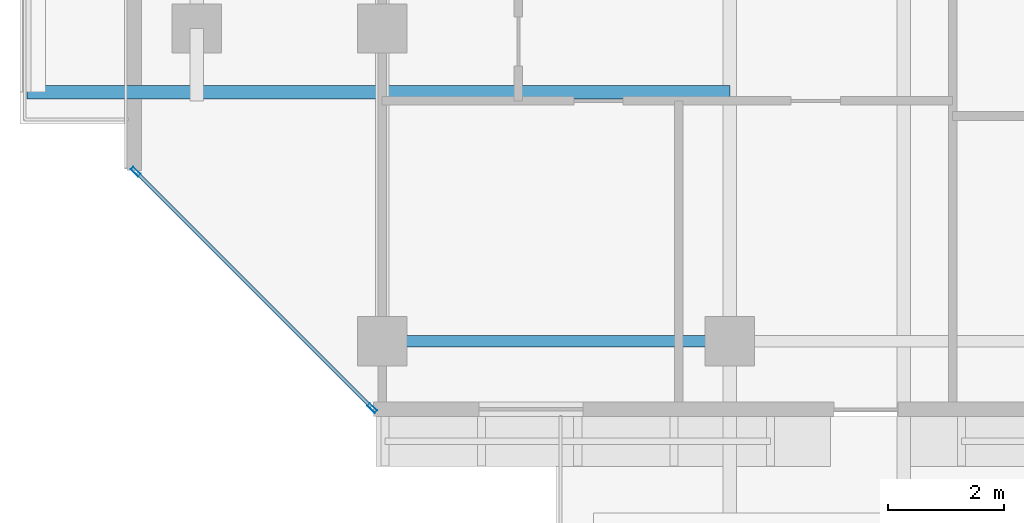
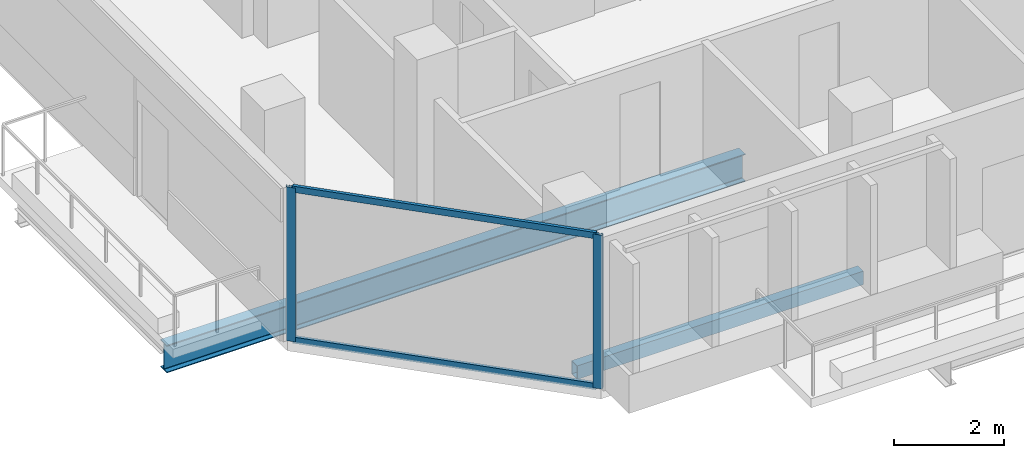
# One storey, part 2 of 30: 4 members, 2 beams, 1 element without a shape of its own.
"""IFC4 building model written with IfcOpenShell, lengths in metres."""

from ifc_helpers import new_model, si_unit, direction, frame, origin, origin_2d, place, context, subcontext, project, spatial, hollow_rectangle, i_section, extrude, material, layer, layer_set, material_profile, profile_set, type_object, element, aggregate, save


model = new_model("IFC4")

# Units and contexts
model_context = context("Model", 3, precision=1e-05, world=origin(), true_north=direction((0.0, 1.0)))
body_context = subcontext(model_context, "Body", "Model", "MODEL_VIEW")
ifc_project = project(units=[si_unit("LENGTHUNIT", "METRE"), si_unit("AREAUNIT", "SQUARE_METRE"), si_unit("VOLUMEUNIT", "CUBIC_METRE"), si_unit("PLANEANGLEUNIT", "RADIAN"), si_unit("MASSUNIT", "GRAM", prefix="KILO")], contexts=[model_context])

# Site, building, storey
site_placement = place(None, origin())
site = spatial("IfcSite", under=ifc_project, at=site_placement, CompositionType="ELEMENT")
building_placement = place(site_placement, origin())
building = spatial("IfcBuilding", under=site, at=building_placement, Name="Tanjung Sevakor Pilgrim Tower", CompositionType="ELEMENT")
storey_placement = place(building_placement, frame((0.0, 0.0, 165.659912109375)))
storey = spatial("IfcBuildingStorey", under=building, at=storey_placement, Name="L46", CompositionType="ELEMENT", Elevation=165.659912109375)

# Beams
ifc_material_1 = material(Name="Steel S355J2", Category="steel")
ifc_material_profile_1 = material_profile(ifc_material_1, i_section(OverallWidth=0.22900390625, OverallDepth=0.6123046875, WebThickness=0.011962890625, FlangeThickness=0.01953125, FilletRadius=0.0126953125, at=origin_2d()))
ifc_profile_set_1 = profile_set([ifc_material_profile_1], Name="Steel S355J2")
beam_type_1 = type_object("IfcBeamType", Name="BM-B-G4-UB_610x229x125", PredefinedType="BEAM", material=ifc_profile_set_1)
beam_1_placement = place(storey_placement, frame((30.0, 17.5, -0.526123046875), z_axis=(-1.0, 0.0, 0.0), x_axis=(0.0, -1.0, 0.0)))
element("IfcBeam", 1, at=beam_1_placement, inside=storey, type_object=beam_type_1, Name="L46 Balcony Overhanging Beam MAIN-W1-1", PredefinedType="BEAM", context=body_context, shape_type="SweptSolid", body=[
    extrude(i_section(OverallWidth=0.22900390625, OverallDepth=0.6123046875, WebThickness=0.011962890625, FlangeThickness=0.01953125, FilletRadius=0.0126953125, at=origin_2d()), origin(), (0.0, 0.0, 1.0), 12.1298828125),
])
ifc_material_2 = material(Name="Steel S355J2", Category="steel")
ifc_material_profile_2 = material_profile(ifc_material_2, hollow_rectangle(XDim=0.199951171875, YDim=0.300048828125, WallThickness=0.012451171875, at=origin_2d()))
ifc_profile_set_2 = profile_set([ifc_material_profile_2], Name="Steel S355J2")
beam_type_2 = type_object("IfcBeamType", Name="BM-B-SP3-RHS_300x200x12.5", PredefinedType="SPANDREL", material=ifc_profile_set_2)
beam_2_placement = place(storey_placement, frame((24.0, 13.199951171875, -0.369873046875), z_axis=(1.0, 0.0, 0.0), x_axis=(0.0, 1.0, 0.0)))
element("IfcBeam", 2, at=beam_2_placement, inside=storey, type_object=beam_type_2, Name="L46 Spandrel MAIN S-01", PredefinedType="SPANDREL", context=body_context, shape_type="SweptSolid", body=[
    extrude(hollow_rectangle(XDim=0.199951171875, YDim=0.300048828125, WallThickness=0.012451171875, at=origin_2d()), origin(), (0.0, 0.0, 1.0), 6.0),
])

# Curtain wall, members
ifc_material_3 = material(Name="Aluminium 6063-T6 and Low-E Glass", Category="aluminium")
ifc_layer = layer(ifc_material_3, 0.179931640625)
ifc_layer_set = layer_set([ifc_layer], Name="CW-SYS-CHAM")
curtain_wall_type = type_object("IfcCurtainWallType", Name="CW-SYS-CHAM", PredefinedType="NOTDEFINED", material=ifc_layer_set)
curtain_wall_placement = place(storey_placement, origin())
curtain_wall = element("IfcCurtainWall", 3, at=curtain_wall_placement, inside=storey, type_object=curtain_wall_type, Name="L46 Curtain Wall CW-CHM-L46-MAIN-15", PredefinedType="NOTDEFINED")
ifc_material_4 = material(Name="Aluminium 6063-T6", Category="aluminium")
ifc_material_profile_3 = material_profile(ifc_material_4, hollow_rectangle(XDim=0.06494140625, YDim=0.179931640625, WallThickness=0.00390625, at=origin_2d()))
ifc_profile_set_3 = profile_set([ifc_material_profile_3], Name="Aluminium 6063-T6")
member_type_1 = type_object("IfcMemberType", Name="TYPE-CWM-1", PredefinedType="MULLION", material=ifc_profile_set_3)
member_1_placement = place(storey_placement, frame((19.748046875, 16.12890625, 0.0), z_axis=(0.0, 0.0, 1.0), x_axis=(0.707106781187, 0.707106781187, 0.0)))
member_1 = element("IfcMember", 4, at=member_1_placement, type_object=member_type_1, Name="CW-CHM mullion 1", PredefinedType="MULLION", context=body_context, shape_type="SweptSolid", body=[
    extrude(hollow_rectangle(XDim=0.06494140625, YDim=0.179931640625, WallThickness=0.00390625, at=origin_2d()), origin(), (0.0, 0.0, 1.0), 3.41015625),
])
member_2_placement = place(storey_placement, frame((23.828857421875, 12.048095703125, 0.0), z_axis=(0.0, 0.0, 1.0), x_axis=(0.707106781187, 0.707106781187, 0.0)))
member_2 = element("IfcMember", 5, at=member_2_placement, type_object=member_type_1, Name="CW-CHM mullion 2", PredefinedType="MULLION", context=body_context, shape_type="SweptSolid", body=[
    extrude(hollow_rectangle(XDim=0.06494140625, YDim=0.179931640625, WallThickness=0.00390625, at=origin_2d()), origin(), (0.0, 0.0, 1.0), 3.41015625),
])
ifc_material_5 = material(Name="Aluminium 6063-T6", Category="aluminium")
ifc_material_profile_4 = material_profile(ifc_material_5, hollow_rectangle(XDim=0.06494140625, YDim=0.139892578125, WallThickness=0.00390625, at=origin_2d()))
ifc_profile_set_4 = profile_set([ifc_material_profile_4], Name="Aluminium 6063-T6")
member_type_2 = type_object("IfcMemberType", Name="TYPE-CWT-1", PredefinedType="USERDEFINED", material=ifc_profile_set_4)
member_3_placement = place(storey_placement, frame((19.77099609375, 16.10595703125, 0.032470703125), z_axis=(0.707106781187, -0.707106781187, 0.0), x_axis=(0.707106781187, 0.707106781187, 0.0)))
member_3 = element("IfcMember", 6, at=member_3_placement, type_object=member_type_2, Name="CW-CHM transom 1.1", ObjectType="TRANSOM", PredefinedType="USERDEFINED", context=body_context, shape_type="SweptSolid", body=[
    extrude(hollow_rectangle(XDim=0.06494140625, YDim=0.139892578125, WallThickness=0.00390625, at=origin_2d()), origin(), (0.0, 0.0, 1.0), 5.706298828125),
])
member_4_placement = place(storey_placement, frame((19.77099609375, 16.10595703125, 3.377685546875), z_axis=(0.707106781187, -0.707106781187, 0.0), x_axis=(0.707106781187, 0.707106781187, 0.0)))
member_4 = element("IfcMember", 7, at=member_4_placement, type_object=member_type_2, Name="CW-CHM transom 1.2", ObjectType="TRANSOM", PredefinedType="USERDEFINED", context=body_context, shape_type="SweptSolid", body=[
    extrude(hollow_rectangle(XDim=0.06494140625, YDim=0.139892578125, WallThickness=0.00390625, at=origin_2d()), origin(), (0.0, 0.0, 1.0), 5.706298828125),
])
aggregate(curtain_wall, [member_1, member_2, member_3, member_4])

save(model, "model.ifc")
